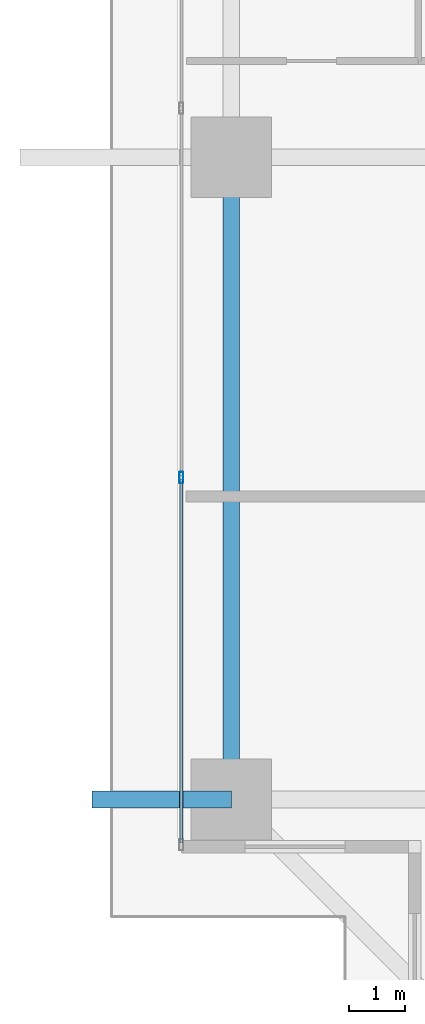
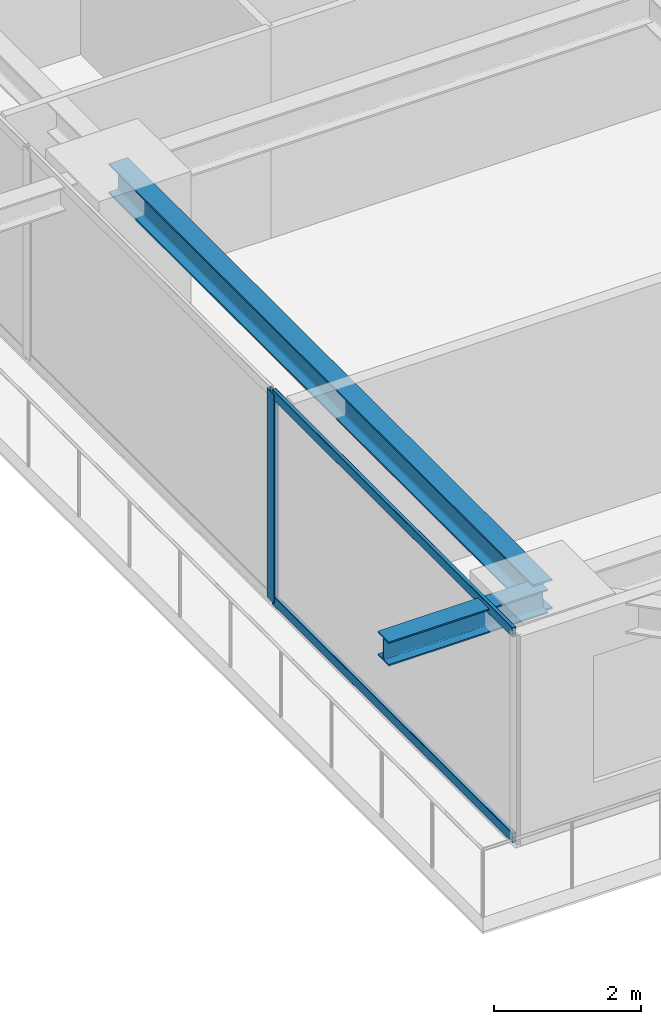
# One storey, part 3 of 38: 3 members, 2 beams, 1 element without a shape of its own.
"""IFC4 building model written with IfcOpenShell, lengths in metres."""

from ifc_helpers import new_model, si_unit, direction, frame, origin, origin_2d, place, context, subcontext, project, spatial, hollow_rectangle, i_section, extrude, source, transform, mapped, material, layer, layer_set, material_profile, profile_set, type_object, element, aggregate, save


model = new_model("IFC4")

# Units and contexts
model_context = context("Model", 3, precision=1e-05, world=origin(), true_north=direction((0.0, 1.0)))
body_context = subcontext(model_context, "Body", "Model", "MODEL_VIEW")
ifc_project = project(units=[si_unit("LENGTHUNIT", "METRE"), si_unit("AREAUNIT", "SQUARE_METRE"), si_unit("VOLUMEUNIT", "CUBIC_METRE"), si_unit("PLANEANGLEUNIT", "RADIAN"), si_unit("MASSUNIT", "GRAM", prefix="KILO")], contexts=[model_context])

# Site, building, storey
site_placement = place(None, origin())
site = spatial("IfcSite", under=ifc_project, at=site_placement, CompositionType="ELEMENT")
building_placement = place(site_placement, origin())
building = spatial("IfcBuilding", under=site, at=building_placement, Name="Serunith Strait Residences", CompositionType="ELEMENT")
storey_placement = place(building_placement, frame((0.0, 0.0, 82.949951171875)))
storey = spatial("IfcBuildingStorey", under=building, at=storey_placement, Name="L20", CompositionType="ELEMENT", Elevation=82.949951171875)

# Beams
ifc_material_1 = material(Name="Steel S355J2", Category="steel")
ifc_material_profile_1 = material_profile(ifc_material_1, i_section(OverallWidth=0.300048828125, OverallDepth=0.5, WebThickness=0.014404296875, FlangeThickness=0.028076171875, FilletRadius=0.027099609375, at=origin_2d()), Name="HEB 500")
ifc_profile_set_1 = profile_set([ifc_material_profile_1], Name="Steel S355J2")
beam_type_1 = type_object("IfcBeamType", Name="BM-HEB500", PredefinedType="BEAM", material=ifc_profile_set_1)
shared_shape_1 = source(origin(), body_context, "Body", "SweptSolid", [
    extrude(i_section(OverallWidth=0.300048828125, OverallDepth=0.5, WebThickness=0.014404296875, FlangeThickness=0.028076171875, FilletRadius=0.027099609375, at=origin_2d()), origin(), (0.0, 0.0, 1.0), 11.550048828125),
])
beam_1_placement = place(storey_placement, frame((6.89990234375, 21.0, 3.237060546875), z_axis=(0.0, -1.0, 0.0), x_axis=(1.0, 0.0, 0.0)))
element("IfcBeam", 1, at=beam_1_placement, inside=storey, type_object=beam_type_1, Name="L20 Perimeter Ring Beam 15", PredefinedType="BEAM", context=body_context, shape_type="MappedRepresentation", body=[
    mapped(shared_shape_1, transform((0.0, 0.0, 0.0), scale=1.0)),
])
ifc_material_profile_2 = material_profile(ifc_material_1, i_section(OverallWidth=0.300048828125, OverallDepth=0.39990234375, WebThickness=0.013427734375, FlangeThickness=0.02392578125, FilletRadius=0.027099609375, at=origin_2d()), Name="HEB 400")
ifc_profile_set_2 = profile_set([ifc_material_profile_2], Name="Steel S355J2")
beam_type_2 = type_object("IfcBeamType", Name="BM-HEB400", PredefinedType="BEAM", material=ifc_profile_set_2)
shared_shape_2 = source(origin(), body_context, "Body", "SweptSolid", [
    extrude(i_section(OverallWidth=0.300048828125, OverallDepth=0.39990234375, WebThickness=0.013427734375, FlangeThickness=0.02392578125, FilletRadius=0.027099609375, at=origin_2d()), origin(), (0.0, 0.0, 1.0), 2.5029296875),
])
beam_2_placement = place(storey_placement, frame((6.89990234375, 9.449951171875, 3.257080078125), z_axis=(-1.0, 0.0, 0.0), x_axis=(0.0, -1.0, 0.0)))
element("IfcBeam", 2, at=beam_2_placement, inside=storey, type_object=beam_type_2, Name="L21 Cantilevered Balcony Rib TC-W1", PredefinedType="BEAM", context=body_context, shape_type="MappedRepresentation", body=[
    mapped(shared_shape_2, transform((0.0, 0.0, 0.0), scale=1.0)),
])

# Curtain wall, members
ifc_material_2 = material(Name="Pale-Champagne Anodised Aluminium", Category="aluminium")
ifc_layer = layer(ifc_material_2, 0.199951171875, Name="Pale-Champagne Anodised Aluminium")
ifc_layer_set = layer_set([ifc_layer], Name="Pale-Champagne Anodised Aluminium")
curtain_wall_type = type_object("IfcCurtainWallType", Name="CW-SYS1", PredefinedType="NOTDEFINED", material=ifc_layer_set)
curtain_wall_placement = place(storey_placement, origin())
curtain_wall = element("IfcCurtainWall", 3, at=curtain_wall_placement, inside=storey, type_object=curtain_wall_type, Name="L20 W Unitised Fritted Curtain Wall", PredefinedType="NOTDEFINED")
ifc_material_profile_3 = material_profile(ifc_material_2, hollow_rectangle(XDim=0.070068359375, YDim=0.199951171875, WallThickness=0.00390625, InnerFilletRadius=0.006103515625, OuterFilletRadius=0.010009765625, at=origin_2d()), Name="ALU 200x70x4")
ifc_profile_set_3 = profile_set([ifc_material_profile_3], Name="Pale-Champagne Anodised Aluminium")
member_type_1 = type_object("IfcMemberType", Name="CW-SYS1-MULL", PredefinedType="MULLION", material=ifc_profile_set_3)
shared_shape_3 = source(origin(), body_context, "Body", "SweptSolid", [
    extrude(hollow_rectangle(XDim=0.070068359375, YDim=0.199951171875, WallThickness=0.00390625, InnerFilletRadius=0.006103515625, OuterFilletRadius=0.010009765625, at=origin_2d()), origin(), (0.0, 0.0, 1.0), 3.47509765625),
])
member_1_placement = place(storey_placement, frame((6.0, 15.239990234375, 0.0), z_axis=(0.0, 0.0, 1.0), x_axis=(1.0, 0.0, 0.0)))
member_1 = element("IfcMember", 4, at=member_1_placement, type_object=member_type_1, Name="CW-1 mullion 5", PredefinedType="MULLION", context=body_context, shape_type="MappedRepresentation", body=[
    mapped(shared_shape_3, transform((0.0, 0.0, 0.0), scale=1.0)),
])
ifc_material_profile_4 = material_profile(ifc_material_2, hollow_rectangle(XDim=0.06005859375, YDim=0.159912109375, WallThickness=0.00341796875, InnerFilletRadius=0.00537109375, OuterFilletRadius=0.0087890625, at=origin_2d()), Name="ALU 160x60x3.5")
ifc_profile_set_4 = profile_set([ifc_material_profile_4], Name="Pale-Champagne Anodised Aluminium")
member_type_2 = type_object("IfcMemberType", Name="CW-SYS1-TRAN", PredefinedType="USERDEFINED", material=ifc_profile_set_4)
shared_shape_4 = source(origin(), body_context, "Body", "SweptSolid", [
    extrude(hollow_rectangle(XDim=0.06005859375, YDim=0.159912109375, WallThickness=0.00341796875, InnerFilletRadius=0.00537109375, OuterFilletRadius=0.0087890625, at=origin_2d()), origin(), (0.0, 0.0, 1.0), 6.53515625),
])
member_2_placement = place(storey_placement, frame((6.0, 15.205078125, 0.030029296875), z_axis=(0.0, -1.0, 0.0), x_axis=(1.0, 0.0, 0.0)))
member_2 = element("IfcMember", 5, at=member_2_placement, type_object=member_type_2, Name="CW-1 transom 5.1", ObjectType="TRANSOM", PredefinedType="USERDEFINED", context=body_context, shape_type="MappedRepresentation", body=[
    mapped(shared_shape_4, transform((0.0, 0.0, 0.0), scale=1.0)),
])
member_3_placement = place(storey_placement, frame((6.0, 15.205078125, 3.445068359375), z_axis=(0.0, -1.0, 0.0), x_axis=(1.0, 0.0, 0.0)))
member_3 = element("IfcMember", 6, at=member_3_placement, type_object=member_type_2, Name="CW-1 transom 5.2", ObjectType="TRANSOM", PredefinedType="USERDEFINED", context=body_context, shape_type="MappedRepresentation", body=[
    mapped(shared_shape_4, transform((0.0, 0.0, 0.0), scale=1.0)),
])
aggregate(curtain_wall, [member_1, member_2, member_3])

save(model, "model.ifc")
